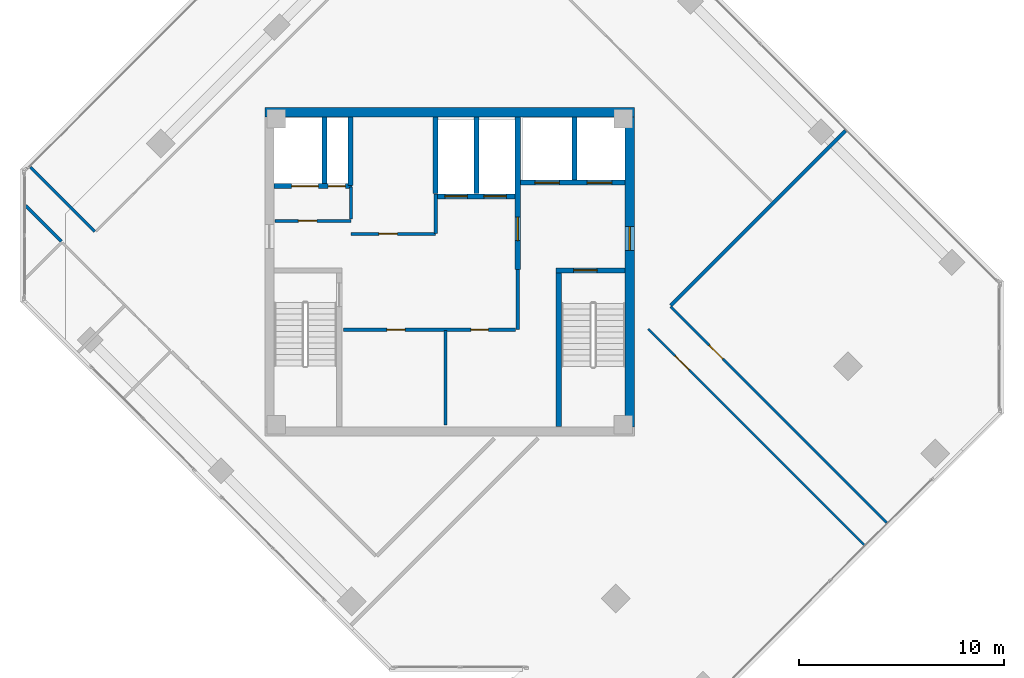
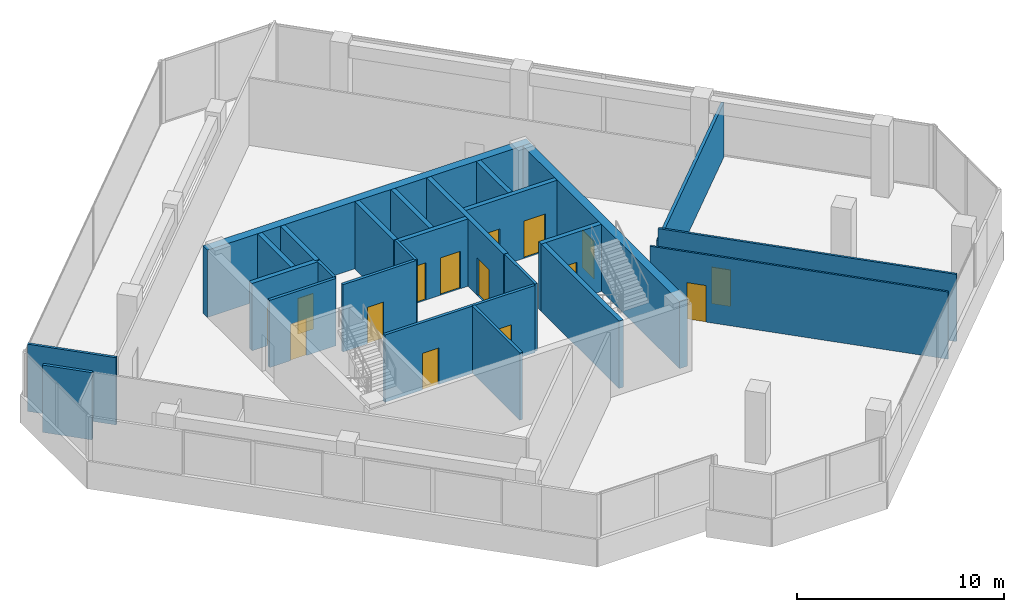
# One storey, part 14 of 18: 25 walls, 15 doors, 15 openings.
"""IFC4 building model written with IfcOpenShell, lengths in metres."""

import ifcopenshell
import ifcopenshell.guid

model = None  # the IFC model being written
_history = None  # IfcOwnerHistory: only IFC2X3 demands one
_inside = {}  # id of a spatial element -> (the spatial element, [elements in it])
_under = {}  # id of a project, library or spatial element -> (it, [spatial elements below it])
_declared = {}  # id of a project -> (the project, [libraries it declares])
_typed = {}  # id of a type object -> (the type object, [elements of that type])
_made_of = {}  # id of a material, layer set ... -> (it, [elements and type objects made of it])


def new_model(schema):
    """Start an empty IFC model of exactly this schema.

    Asked for "IFC4X3", IfcOpenShell would pick the latest addendum, in which some entities
    have other attributes; the version numbers below select the first issue.
    IFC2X3 requires an IfcOwnerHistory on every rooted entity: one is made here for all.
    """
    global model, _history
    if schema == "IFC4X3":
        model = ifcopenshell.file(schema_version=(4, 3, 0, 0))
    else:
        model = ifcopenshell.file(schema=schema)
    _inside.clear()
    _under.clear()
    _declared.clear()
    _typed.clear()
    _made_of.clear()
    _history = None
    if model.schema == "IFC2X3":
        org = make("IfcOrganization", Name="unknown")
        user = make(
            "IfcPersonAndOrganization",
            ThePerson=make("IfcPerson", FamilyName="unknown"),
            TheOrganization=org,
        )
        app = make(
            "IfcApplication",
            ApplicationDeveloper=org,
            Version="unknown",
            ApplicationFullName="unknown",
            ApplicationIdentifier="unknown",
        )
        _history = make(
            "IfcOwnerHistory",
            OwningUser=user,
            OwningApplication=app,
            ChangeAction="ADDED",
            CreationDate=0,
        )
    return model


def make(cls, **values):
    """One entity of the class cls with the attributes given. An attribute that is None is left unset."""
    return model.create_entity(
        cls, **{name: value for name, value in values.items() if value is not None}
    )


def rooted(cls, **values):
    """An entity with a GlobalId (a new one), such as an element, a storey or a relation."""
    return make(cls, GlobalId=ifcopenshell.guid.new(), OwnerHistory=_history, **values)


def si_unit(unit_type, name, prefix=None):
    """IfcSIUnit, for example si_unit("LENGTHUNIT", "METRE", prefix="MILLI")."""
    return make("IfcSIUnit", UnitType=unit_type, Prefix=prefix, Name=name)


def assignment(units):
    """IfcUnitAssignment: the units of a project."""
    return None if units is None else make("IfcUnitAssignment", Units=units)


def point(xyz):
    """IfcCartesianPoint."""
    return None if xyz is None else make("IfcCartesianPoint", Coordinates=xyz)


def direction(xyz):
    """IfcDirection."""
    return None if xyz is None else make("IfcDirection", DirectionRatios=xyz)


def frame(location, z_axis=None, x_axis=None):
    """IfcAxis2Placement3D, a coordinate frame: its origin and axes. An axis left out is left unset."""
    return make(
        "IfcAxis2Placement3D",
        Location=point(location),
        Axis=direction(z_axis),
        RefDirection=direction(x_axis),
    )


def frame_2d(location, x_axis=None):
    """IfcAxis2Placement2D, a coordinate frame in the plane: its origin and x axis."""
    return make(
        "IfcAxis2Placement2D", Location=point(location), RefDirection=direction(x_axis)
    )


def origin():
    """The frame at (0, 0, 0) with its axes left unset."""
    return frame((0.0, 0.0, 0.0))


def place(relative_to, where):
    """IfcLocalPlacement: puts the frame where relative to a parent placement (None: the world)."""
    return make(
        "IfcLocalPlacement", PlacementRelTo=relative_to, RelativePlacement=where
    )


def context(
    kind, dimensions, precision=None, world=None, true_north=None, identifier=None
):
    """IfcGeometricRepresentationContext, for example the 3D "Model" context."""
    return make(
        "IfcGeometricRepresentationContext",
        ContextIdentifier=identifier,
        ContextType=kind,
        CoordinateSpaceDimension=dimensions,
        Precision=precision,
        WorldCoordinateSystem=world,
        TrueNorth=true_north,
    )


def subcontext(parent, identifier, kind, view, scale=None):
    """IfcGeometricRepresentationSubContext, for example "Body" below "Model"."""
    return make(
        "IfcGeometricRepresentationSubContext",
        ContextIdentifier=identifier,
        ContextType=kind,
        ParentContext=parent,
        TargetScale=scale,
        TargetView=view,
    )


def project(units=None, contexts=None):
    """IfcProject with its units and contexts."""
    return rooted(
        "IfcProject",
        Name="project",
        RepresentationContexts=contexts,
        UnitsInContext=assignment(units),
    )


def spatial(cls, under=None, at=None, **own):
    """A site, building, storey or space (cls), placed at a placement, below another one or the project."""
    s = rooted(cls, ObjectPlacement=at, **own)
    if under is not None:
        _under.setdefault(under.id(), (under, []))[1].append(s)
    return s


def profile(cls, at=None, kind="AREA", **sizes):
    """A parametric profile (cls). Its sizes go by their IFC names, for example OverallWidth=200.0."""
    return make(cls, ProfileType=kind, Position=at, **sizes)


def rectangle(**sizes):
    """IfcRectangleProfileDef."""
    return profile("IfcRectangleProfileDef", **sizes)


def extrude(swept, where, along, depth):
    """IfcExtrudedAreaSolid: the profile swept, set in the frame where, extruded along a direction by depth."""
    return make(
        "IfcExtrudedAreaSolid",
        SweptArea=swept,
        Position=where,
        ExtrudedDirection=direction(along),
        Depth=depth,
    )


def shape(context_of_items, identifier, shape_type, items):
    """IfcShapeRepresentation: the items that make up one representation, for example the "Body"."""
    return make(
        "IfcShapeRepresentation",
        ContextOfItems=context_of_items,
        RepresentationIdentifier=identifier,
        RepresentationType=shape_type,
        Items=items,
    )


def source(mapping_origin, context_of_items, identifier, shape_type, items):
    """IfcRepresentationMap: a shape defined once, which mapped items show again and again."""
    return make(
        "IfcRepresentationMap",
        MappingOrigin=mapping_origin,
        MappedRepresentation=shape(context_of_items, identifier, shape_type, items),
    )


def transform(
    local_origin,
    x_axis=None,
    y_axis=None,
    z_axis=None,
    scale=None,
    scale2=None,
    scale3=None,
    uniform=True,
):
    """IfcCartesianTransformationOperator3D, or its non-uniform kind. x_axis, y_axis, z_axis: its Axis1, 2, 3."""
    if uniform:
        return make(
            "IfcCartesianTransformationOperator3D",
            Axis1=direction(x_axis),
            Axis2=direction(y_axis),
            LocalOrigin=point(local_origin),
            Scale=scale,
            Axis3=direction(z_axis),
        )
    return make(
        "IfcCartesianTransformationOperator3DnonUniform",
        Axis1=direction(x_axis),
        Axis2=direction(y_axis),
        LocalOrigin=point(local_origin),
        Scale=scale,
        Axis3=direction(z_axis),
        Scale2=scale2,
        Scale3=scale3,
    )


def mapped(mapping_source, mapping_target):
    """IfcMappedItem: shows the shape of a source again, moved by a transform."""
    return make(
        "IfcMappedItem", MappingSource=mapping_source, MappingTarget=mapping_target
    )


def material(Name=None, Category=None):
    """IfcMaterial."""
    return make("IfcMaterial", Name=Name, Category=Category)


def layer(
    of_material, thickness, ventilated=None, Name=None, Category=None, Priority=None
):
    """IfcMaterialLayer: one layer of a wall or slab, of a material (None: an air gap)."""
    return make(
        "IfcMaterialLayer",
        Material=of_material,
        LayerThickness=thickness,
        IsVentilated=ventilated,
        Name=Name,
        Category=Category,
        Priority=Priority,
    )


def layer_set(layers, Name=None):
    """IfcMaterialLayerSet."""
    return make("IfcMaterialLayerSet", MaterialLayers=layers, LayerSetName=Name)


def made_of(thing, what):
    """Note that an element or type object is made of a material, layer set ...; save() writes the relation."""
    if what is not None:
        _made_of.setdefault(what.id(), (what, []))[1].append(thing)
    return thing


def type_object(cls, material=None, **own):
    """A type object (cls), such as IfcWallType, which elements share."""
    return made_of(rooted(cls, **own), material)


def element(
    cls,
    number,
    at=None,
    inside=None,
    cuts=None,
    type_object=None,
    material=None,
    context=None,
    identifier="Body",
    shape_type=None,
    held_by="IfcProductDefinitionShape",
    body=None,
    shapes=None,
    **own,
):
    """One element of the class cls, such as IfcWall. Its Tag is "e" and its number.

    at: its placement. inside: the storey or other place that contains it. cuts: it is an
    opening in that element (IfcRelVoidsElement). A single representation is given by context,
    identifier, shape_type and body (its items); several are given by shapes. held_by: the class
    of the entity that holds the representations. save() writes the other relations.
    """
    e = rooted(cls, Tag="e%d" % number, ObjectPlacement=at, **own)
    if body is not None:
        shapes = [shape(context, identifier, shape_type, body)]
    if shapes is not None:
        e.Representation = make(held_by, Representations=shapes)
    if inside is not None:
        _inside.setdefault(inside.id(), (inside, []))[1].append(e)
    if cuts is not None:
        rooted(
            "IfcRelVoidsElement", RelatingBuildingElement=cuts, RelatedOpeningElement=e
        )
    if type_object is not None:
        _typed.setdefault(type_object.id(), (type_object, []))[1].append(e)
    return made_of(e, material)


def fill(opening, filler):
    """IfcRelFillsElement: the door or window that sits in an opening."""
    return rooted(
        "IfcRelFillsElement",
        RelatingOpeningElement=opening,
        RelatedBuildingElement=filler,
    )


def aggregate(whole, parts):
    """IfcRelAggregates: a whole, such as a stair, and the parts it consists of."""
    return rooted("IfcRelAggregates", RelatingObject=whole, RelatedObjects=parts)


def save(model, path):
    """Write the relations noted so far, then the file.

    IfcRelAggregates (storeys below a building ...), IfcRelContainedInSpatialStructure (elements
    in a storey), IfcRelDefinesByType, IfcRelAssociatesMaterial and IfcRelDeclares: one each for
    every whole, place, type object, material and project.
    """
    for whole, parts in _under.values():
        aggregate(whole, parts)
    for where, things in _inside.values():
        rooted(
            "IfcRelContainedInSpatialStructure",
            RelatedElements=things,
            RelatingStructure=where,
        )
    for kind, things in _typed.values():
        rooted("IfcRelDefinesByType", RelatedObjects=things, RelatingType=kind)
    for what, things in _made_of.values():
        rooted("IfcRelAssociatesMaterial", RelatedObjects=things, RelatingMaterial=what)
    for by, libraries in _declared.values():
        rooted("IfcRelDeclares", RelatingContext=by, RelatedDefinitions=libraries)
    model.write(path)


model = new_model("IFC4")

# Units and contexts
model_context = context("Model", 3, precision=1e-05, world=origin(), true_north=direction((0.0, 1.0)))
body_context = subcontext(model_context, "Body", "Model", "MODEL_VIEW")
ifc_project = project(units=[si_unit("LENGTHUNIT", "METRE"), si_unit("AREAUNIT", "SQUARE_METRE"), si_unit("VOLUMEUNIT", "CUBIC_METRE"), si_unit("PLANEANGLEUNIT", "RADIAN"), si_unit("MASSUNIT", "GRAM", prefix="KILO")], contexts=[model_context])

# Site, building, storey
site_placement = place(None, origin())
site = spatial("IfcSite", under=ifc_project, at=site_placement, CompositionType="ELEMENT")
building_placement = place(site_placement, origin())
building = spatial("IfcBuilding", under=site, at=building_placement, Name="Torre Montelarca", CompositionType="ELEMENT")
storey_placement = place(building_placement, frame((0.0, 0.0, 245.800048828125)))
storey = spatial("IfcBuildingStorey", under=building, at=storey_placement, Name="L55", CompositionType="ELEMENT", Elevation=245.800048828125)

# Wall
ifc_material_1 = material(Name="Concrete C40/50", Category="concrete")
ifc_layer_1 = layer(ifc_material_1, 0.25, Name="Concrete C40/50", Category="concrete")
ifc_layer_set_1 = layer_set([ifc_layer_1], Name="Concrete C40/50")
wall_type_1 = type_object("IfcWallType", Name="CW-SHAFT-250", PredefinedType="SHEAR", material=ifc_layer_set_1)
wall_1_placement = place(storey_placement, frame((23.31494140625, 24.4599609375, 0.0), z_axis=(0.0, 0.0, 1.0), x_axis=(0.0, 1.0, 0.0)))
element("IfcWall", 1, at=wall_1_placement, inside=storey, type_object=wall_type_1, Name="L55 Core Shear Wall SH-ST2-W", PredefinedType="SHEAR", context=body_context, shape_type="SweptSolid", body=[
    extrude(rectangle(XDim=7.489990234375, YDim=0.25, at=frame_2d((3.7451171875, 0.0))), origin(), (0.0, 0.0, 1.0), 3.9599609375),
])

# Wall, opening, door
wall_2_placement = place(storey_placement, frame((23.18994140625, 32.074951171875, 0.0), z_axis=(0.0, 0.0, 1.0), x_axis=(1.0, 0.0, 0.0)))
wall_2 = element("IfcWall", 2, at=wall_2_placement, inside=storey, type_object=wall_type_1, Name="L55 Core Shear Wall SH-ST2-N", PredefinedType="SHEAR", context=body_context, shape_type="SweptSolid", body=[
    extrude(rectangle(XDim=3.35009765625, YDim=0.25, at=frame_2d((1.675048828125, 0.0))), origin(), (0.0, 0.0, 1.0), 3.9599609375),
])
opening_1_placement = place(wall_2_placement, frame((0.85009765625, 0.0, 0.0)))
opening_1 = element("IfcOpeningElement", 3, at=opening_1_placement, cuts=wall_2, Name="Opening FD-ST1", PredefinedType="OPENING", context=body_context, shape_type="SweptSolid", body=[
    extrude(rectangle(XDim=1.14990234375, YDim=2.199951171875, at=frame_2d((0.574951171875, 1.10009765625))), frame((0.0, 0.135009765625, 0.0), z_axis=(0.0, -1.0, 0.0), x_axis=(1.0, 0.0, 0.0)), (0.0, 0.0, 1.0), 0.27001953125),
])
ifc_material_2 = material(Name="Galvanized steel fire door", Category="steel")
door_type_1 = type_object("IfcDoorType", Name="DR-STAIR-115", OperationType="NOTDEFINED", PredefinedType="DOOR", material=ifc_material_2)
shared_shape_1 = source(origin(), body_context, "Body", "SweptSolid", [
    extrude(rectangle(XDim=1.14990234375, YDim=2.199951171875, at=frame_2d((0.574951171875, 1.10009765625))), frame((0.0, 0.02490234375, 0.0), z_axis=(0.0, -1.0, 0.0), x_axis=(1.0, 0.0, 0.0)), (0.0, 0.0, 1.0), 0.050048828125),
])
door_1_placement = place(opening_1_placement, origin())
door_1 = element("IfcDoor", 4, at=door_1_placement, inside=storey, type_object=door_type_1, Name="L55 Exit Stair ST2 Fire Door", OperationType="SINGLE_SWING_RIGHT", OverallHeight=2.199951171875, OverallWidth=1.14990234375, PredefinedType="DOOR", context=body_context, shape_type="MappedRepresentation", body=[
    mapped(shared_shape_1, transform((0.0, 0.0, 0.0), scale=1.0)),
])
fill(opening_1, door_1)

wall_3_placement = place(storey_placement, frame((21.320068359375, 32.1201171875, 0.0), z_axis=(0.0, 0.0, 1.0), x_axis=(0.0, 1.0, 0.0)))
wall_3 = element("IfcWall", 5, at=wall_3_placement, inside=storey, type_object=wall_type_1, Name="L55 Core Shear Wall SH-FFL-W", PredefinedType="SHEAR", context=body_context, shape_type="SweptSolid", body=[
    extrude(rectangle(XDim=7.419921875, YDim=0.25, at=frame_2d((3.7099609375, 0.0))), origin(), (0.0, 0.0, 1.0), 3.9599609375),
])
opening_2_placement = place(wall_3_placement, frame((1.39990234375, 0.0, 0.0)))
opening_2 = element("IfcOpeningElement", 6, at=opening_2_placement, cuts=wall_3, Name="Opening FD-LB1", PredefinedType="OPENING", context=body_context, shape_type="SweptSolid", body=[
    extrude(rectangle(XDim=1.14990234375, YDim=2.199951171875, at=frame_2d((0.574951171875, 1.10009765625))), frame((0.0, 0.135009765625, 0.0), z_axis=(0.0, -1.0, 0.0), x_axis=(1.0, 0.0, 0.0)), (0.0, 0.0, 1.0), 0.27001953125),
])
ifc_material_3 = material(Name="Acoustic timber-veneered fire door", Category="wood")
door_type_2 = type_object("IfcDoorType", Name="DR-LOBBY-115", OperationType="NOTDEFINED", PredefinedType="DOOR", material=ifc_material_3)
shared_shape_2 = source(origin(), body_context, "Body", "SweptSolid", [
    extrude(rectangle(XDim=1.14990234375, YDim=2.199951171875, at=frame_2d((0.574951171875, 1.10009765625))), frame((0.0, 0.02490234375, 0.0), z_axis=(0.0, -1.0, 0.0), x_axis=(1.0, 0.0, 0.0)), (0.0, 0.0, 1.0), 0.050048828125),
])
door_2_placement = place(opening_2_placement, origin())
door_2 = element("IfcDoor", 7, at=door_2_placement, inside=storey, type_object=door_type_2, Name="L55 Lift Lobby to Firefighting Lobby Smoke Door", OperationType="SINGLE_SWING_LEFT", OverallHeight=2.199951171875, OverallWidth=1.14990234375, PredefinedType="DOOR", context=body_context, shape_type="MappedRepresentation", body=[
    mapped(shared_shape_2, transform((0.0, 0.0, 0.0), scale=1.0)),
])
fill(opening_2, door_2)

# Wall, openings, doors
wall_4_placement = place(storey_placement, frame((9.4599609375, 36.179931640625, 0.0), z_axis=(0.0, 0.0, 1.0), x_axis=(1.0, 0.0, 0.0)))
wall_4 = element("IfcWall", 8, at=wall_4_placement, inside=storey, type_object=wall_type_1, Name="L55 Core Shear Wall SH-SV1-S", PredefinedType="SHEAR", context=body_context, shape_type="SweptSolid", body=[
    extrude(rectangle(XDim=3.7900390625, YDim=0.25, at=frame_2d((1.89501953125, 0.0))), origin(), (0.0, 0.0, 1.0), 3.9599609375),
])
opening_3_placement = place(wall_4_placement, frame((2.6201171875, 0.0, 0.0)))
opening_3 = element("IfcOpeningElement", 9, at=opening_3_placement, cuts=wall_4, Name="Opening FD-085", PredefinedType="OPENING", context=body_context, shape_type="SweptSolid", body=[
    extrude(rectangle(XDim=0.85009765625, YDim=2.10009765625, at=frame_2d((0.425048828125, 1.050048828125))), frame((0.0, 0.135009765625, 0.0), z_axis=(0.0, -1.0, 0.0), x_axis=(1.0, 0.0, 0.0)), (0.0, 0.0, 1.0), 0.27001953125),
])
opening_4_placement = place(wall_4_placement, frame((0.85009765625, 0.0, 0.0)))
opening_4 = element("IfcOpeningElement", 10, at=opening_4_placement, cuts=wall_4, Name="Opening LD-130", PredefinedType="OPENING", context=body_context, shape_type="SweptSolid", body=[
    extrude(rectangle(XDim=1.300048828125, YDim=2.25, at=frame_2d((0.64990234375, 1.125))), frame((0.0, 0.135009765625, 0.0), z_axis=(0.0, -1.0, 0.0), x_axis=(1.0, 0.0, 0.0)), (0.0, 0.0, 1.0), 0.27001953125),
])
ifc_material_4 = material(Name="Steel riser access fire door", Category="steel")
door_type_3 = type_object("IfcDoorType", Name="DR-RISER-085", OperationType="NOTDEFINED", PredefinedType="DOOR", material=ifc_material_4)
shared_shape_3 = source(origin(), body_context, "Body", "SweptSolid", [
    extrude(rectangle(XDim=0.85009765625, YDim=2.10009765625, at=frame_2d((0.425048828125, 1.050048828125))), frame((0.0, 0.02490234375, 0.0), z_axis=(0.0, -1.0, 0.0), x_axis=(1.0, 0.0, 0.0)), (0.0, 0.0, 1.0), 0.050048828125),
])
door_3_placement = place(opening_3_placement, origin())
door_3 = element("IfcDoor", 11, at=door_3_placement, inside=storey, type_object=door_type_3, Name="L55 Electrical Riser Shaft Access Door", OperationType="SINGLE_SWING_RIGHT", OverallHeight=2.10009765625, OverallWidth=0.85009765625, PredefinedType="DOOR", context=body_context, shape_type="MappedRepresentation", body=[
    mapped(shared_shape_3, transform((0.0, 0.0, 0.0), scale=1.0)),
])
fill(opening_3, door_3)
ifc_material_5 = material(Name="Brushed stainless steel AISI 316", Category="steel")
door_type_4 = type_object("IfcDoorType", Name="DR-LIFT-130", OperationType="SLIDING_TO_LEFT", PredefinedType="DOOR", material=ifc_material_5)
shared_shape_4 = source(origin(), body_context, "Body", "SweptSolid", [
    extrude(rectangle(XDim=1.300048828125, YDim=2.25, at=frame_2d((0.64990234375, 1.125))), frame((0.0, 0.02490234375, 0.0), z_axis=(0.0, -1.0, 0.0), x_axis=(1.0, 0.0, 0.0)), (0.0, 0.0, 1.0), 0.050048828125),
])
door_4_placement = place(opening_4_placement, origin())
door_4 = element("IfcDoor", 12, at=door_4_placement, inside=storey, type_object=door_type_4, Name="L55 Lift Landing Sliding Door SV-1", OperationType="SLIDING_TO_LEFT", OverallHeight=2.25, OverallWidth=1.300048828125, PredefinedType="DOOR", context=body_context, shape_type="MappedRepresentation", body=[
    mapped(shared_shape_4, transform((0.0, 0.0, 0.0), scale=1.0)),
])
fill(opening_4, door_4)

# Wall
wall_5_placement = place(storey_placement, frame((11.89990234375, 36.31005859375, 0.0), z_axis=(0.0, 0.0, 1.0), x_axis=(0.0, 1.0, 0.0)))
element("IfcWall", 13, at=wall_5_placement, inside=storey, type_object=wall_type_1, Name="L55 Core Shear Wall SH-SV1-E", PredefinedType="SHEAR", context=body_context, shape_type="SweptSolid", body=[
    extrude(rectangle(XDim=3.22998046875, YDim=0.25, at=frame_2d((1.614990234375, 0.0))), origin(), (0.0, 0.0, 1.0), 3.9599609375),
])

# Wall, openings, doors
wall_6_placement = place(storey_placement, frame((21.449951171875, 36.35009765625, 0.0), z_axis=(0.0, 0.0, 1.0), x_axis=(1.0, 0.0, 0.0)))
wall_6 = element("IfcWall", 14, at=wall_6_placement, inside=storey, type_object=wall_type_1, Name="L55 Core Shear Wall SH-FF-S", PredefinedType="SHEAR", context=body_context, shape_type="SweptSolid", body=[
    extrude(rectangle(XDim=5.090087890625, YDim=0.25, at=frame_2d((2.544921875, 0.0))), origin(), (0.0, 0.0, 1.0), 3.9599609375),
])
opening_5_placement = place(wall_6_placement, frame((0.699951171875, 0.0, 0.0)))
opening_5 = element("IfcOpeningElement", 15, at=opening_5_placement, cuts=wall_6, Name="Opening LD-120", PredefinedType="OPENING", context=body_context, shape_type="SweptSolid", body=[
    extrude(rectangle(XDim=1.199951171875, YDim=2.199951171875, at=frame_2d((0.60009765625, 1.10009765625))), frame((0.0, 0.135009765625, 0.0), z_axis=(0.0, -1.0, 0.0), x_axis=(1.0, 0.0, 0.0)), (0.0, 0.0, 1.0), 0.27001953125),
])
opening_6_placement = place(wall_6_placement, frame((3.25, 0.0, 0.0)))
opening_6 = element("IfcOpeningElement", 16, at=opening_6_placement, cuts=wall_6, Name="Opening LD-120", PredefinedType="OPENING", context=body_context, shape_type="SweptSolid", body=[
    extrude(rectangle(XDim=1.199951171875, YDim=2.199951171875, at=frame_2d((0.60009765625, 1.10009765625))), frame((0.0, 0.135009765625, 0.0), z_axis=(0.0, -1.0, 0.0), x_axis=(1.0, 0.0, 0.0)), (0.0, 0.0, 1.0), 0.27001953125),
])
door_type_5 = type_object("IfcDoorType", Name="DR-LIFT-120", OperationType="SLIDING_TO_RIGHT", PredefinedType="DOOR", material=ifc_material_5)
shared_shape_5 = source(origin(), body_context, "Body", "SweptSolid", [
    extrude(rectangle(XDim=1.199951171875, YDim=2.199951171875, at=frame_2d((0.60009765625, 1.10009765625))), frame((0.0, 0.02490234375, 0.0), z_axis=(0.0, -1.0, 0.0), x_axis=(1.0, 0.0, 0.0)), (0.0, 0.0, 1.0), 0.050048828125),
])
door_5_placement = place(opening_5_placement, origin())
door_5 = element("IfcDoor", 17, at=door_5_placement, inside=storey, type_object=door_type_5, Name="L55 Lift Landing Sliding Door FF-1", OperationType="SLIDING_TO_LEFT", OverallHeight=2.199951171875, OverallWidth=1.199951171875, PredefinedType="DOOR", context=body_context, shape_type="MappedRepresentation", body=[
    mapped(shared_shape_5, transform((0.0, 0.0, 0.0), scale=1.0)),
])
fill(opening_5, door_5)
door_6_placement = place(opening_6_placement, origin())
door_6 = element("IfcDoor", 18, at=door_6_placement, inside=storey, type_object=door_type_5, Name="L55 Lift Landing Sliding Door FF-2", OperationType="SLIDING_TO_RIGHT", OverallHeight=2.199951171875, OverallWidth=1.199951171875, PredefinedType="DOOR", context=body_context, shape_type="MappedRepresentation", body=[
    mapped(shared_shape_5, transform((0.0, 0.0, 0.0), scale=1.0)),
])
fill(opening_6, door_6)

# Walls
wall_7_placement = place(storey_placement, frame((24.080078125, 36.47998046875, 0.0), z_axis=(0.0, 0.0, 1.0), x_axis=(0.0, 1.0, 0.0)))
element("IfcWall", 19, at=wall_7_placement, inside=storey, type_object=wall_type_1, Name="L55 Core Shear Wall SH-FF-M", PredefinedType="SHEAR", context=body_context, shape_type="SweptSolid", body=[
    extrude(rectangle(XDim=3.06005859375, YDim=0.25, at=frame_2d((1.530029296875, 0.0))), origin(), (0.0, 0.0, 1.0), 3.9599609375),
])
wall_8_placement = place(storey_placement, frame((13.179931640625, 36.199951171875, 0.0), z_axis=(0.0, 0.0, 1.0), x_axis=(0.0, 1.0, 0.0)))
element("IfcWall", 20, at=wall_8_placement, inside=storey, type_object=wall_type_1, Name="L55 Core Shear Wall SH-RSR1-E", PredefinedType="SHEAR", context=body_context, shape_type="SweptSolid", body=[
    extrude(rectangle(XDim=3.340087890625, YDim=0.25, at=frame_2d((1.669921875, 0.0))), origin(), (0.0, 0.0, 1.0), 3.9599609375),
])

# Wall, openings, doors
wall_9_placement = place(storey_placement, frame((17.320068359375, 35.679931640625, 0.0), z_axis=(0.0, 0.0, 1.0), x_axis=(1.0, 0.0, 0.0)))
wall_9 = element("IfcWall", 21, at=wall_9_placement, inside=storey, type_object=wall_type_1, Name="L55 Core Shear Wall SH-PLH-S", PredefinedType="SHEAR", context=body_context, shape_type="SweptSolid", body=[
    extrude(rectangle(XDim=3.869873046875, YDim=0.25, at=frame_2d((1.93505859375, 0.0))), origin(), (0.0, 0.0, 1.0), 3.9599609375),
])
opening_7_placement = place(wall_9_placement, frame((0.449951171875, 0.0, 0.0)))
opening_7 = element("IfcOpeningElement", 22, at=opening_7_placement, cuts=wall_9, Name="Opening LD-110", PredefinedType="OPENING", context=body_context, shape_type="SweptSolid", body=[
    extrude(rectangle(XDim=1.10009765625, YDim=2.199951171875, at=frame_2d((0.550048828125, 1.10009765625))), frame((0.0, 0.135009765625, 0.0), z_axis=(0.0, -1.0, 0.0), x_axis=(1.0, 0.0, 0.0)), (0.0, 0.0, 1.0), 0.27001953125),
])
opening_8_placement = place(wall_9_placement, frame((2.35009765625, 0.0, 0.0)))
opening_8 = element("IfcOpeningElement", 23, at=opening_8_placement, cuts=wall_9, Name="Opening LD-110", PredefinedType="OPENING", context=body_context, shape_type="SweptSolid", body=[
    extrude(rectangle(XDim=1.10009765625, YDim=2.199951171875, at=frame_2d((0.550048828125, 1.10009765625))), frame((0.0, 0.135009765625, 0.0), z_axis=(0.0, -1.0, 0.0), x_axis=(1.0, 0.0, 0.0)), (0.0, 0.0, 1.0), 0.27001953125),
])
door_type_6 = type_object("IfcDoorType", Name="DR-LIFT-110", OperationType="SLIDING_TO_LEFT", PredefinedType="DOOR", material=ifc_material_5)
shared_shape_6 = source(origin(), body_context, "Body", "SweptSolid", [
    extrude(rectangle(XDim=1.10009765625, YDim=2.199951171875, at=frame_2d((0.550048828125, 1.10009765625))), frame((0.0, 0.02490234375, 0.0), z_axis=(0.0, -1.0, 0.0), x_axis=(1.0, 0.0, 0.0)), (0.0, 0.0, 1.0), 0.050048828125),
])
door_7_placement = place(opening_7_placement, origin())
door_7 = element("IfcDoor", 24, at=door_7_placement, inside=storey, type_object=door_type_6, Name="L55 Lift Landing Sliding Door PL-H1", OperationType="SLIDING_TO_LEFT", OverallHeight=2.199951171875, OverallWidth=1.10009765625, PredefinedType="DOOR", context=body_context, shape_type="MappedRepresentation", body=[
    mapped(shared_shape_6, transform((0.0, 0.0, 0.0), scale=1.0)),
])
fill(opening_7, door_7)
door_8_placement = place(opening_8_placement, origin())
door_8 = element("IfcDoor", 25, at=door_8_placement, inside=storey, type_object=door_type_6, Name="L55 Lift Landing Sliding Door PL-H2", OperationType="SLIDING_TO_RIGHT", OverallHeight=2.199951171875, OverallWidth=1.10009765625, PredefinedType="DOOR", context=body_context, shape_type="MappedRepresentation", body=[
    mapped(shared_shape_6, transform((0.0, 0.0, 0.0), scale=1.0)),
])
fill(opening_8, door_8)

# Walls
for number, where, z_axis, x_axis, name in (
    (26, (17.320068359375, 35.81005859375, 0.0), (0.0, 0.0, 1.0), (0.0, 1.0, 0.0), "L55 Core Shear Wall SH-PLH-W"),
    (27, (19.320068359375, 35.81005859375, 0.0), (0.0, 0.0, 1.0), (0.0, 1.0, 0.0), "L55 Core Shear Wall SH-PLH-M"),
):
    element("IfcWall", number, at=place(storey_placement, frame(where, z_axis=z_axis, x_axis=x_axis)), inside=storey, type_object=wall_type_1, Name=name, PredefinedType="SHEAR", context=body_context, shape_type="SweptSolid", body=[
        extrude(rectangle(XDim=3.72998046875, YDim=0.25, at=frame_2d((1.864990234375, 0.0))), origin(), (0.0, 0.0, 1.0), 3.9599609375),
    ])

# Wall, opening, door
ifc_material_6 = material(Name="Concrete C55/67", Category="concrete")
ifc_layer_2 = layer(ifc_material_6, 0.449951171875, Name="Concrete C55/67", Category="concrete")
ifc_layer_set_2 = layer_set([ifc_layer_2], Name="Concrete C55/67")
wall_type_2 = type_object("IfcWallType", Name="CW-SHEAR-450", PredefinedType="SHEAR", material=ifc_layer_set_2)
wall_10_placement = place(storey_placement, frame((26.77490234375, 24.449951171875, 0.0), z_axis=(0.0, 0.0, 1.0), x_axis=(0.0, 1.0, 0.0)))
wall_10 = element("IfcWall", 28, at=wall_10_placement, inside=storey, type_object=wall_type_2, Name="L55 Core Shear Wall CW-E", PredefinedType="SHEAR", context=body_context, shape_type="SweptSolid", body=[
    extrude(rectangle(XDim=15.10009765625, YDim=0.449951171875, at=frame_2d((7.550048828125, 0.0))), origin(), (0.0, 0.0, 1.0), 3.9599609375),
])
opening_9_placement = place(wall_10_placement, frame((8.60009765625, 0.0, 0.0)))
opening_9 = element("IfcOpeningElement", 29, at=opening_9_placement, cuts=wall_10, Name="Opening FD-LB1", PredefinedType="OPENING", context=body_context, shape_type="SweptSolid", body=[
    extrude(rectangle(XDim=1.14990234375, YDim=2.199951171875, at=frame_2d((0.574951171875, 1.10009765625))), frame((0.0, 0.23486328125, 0.0), z_axis=(0.0, -1.0, 0.0), x_axis=(1.0, 0.0, 0.0)), (0.0, 0.0, 1.0), 0.469970703125),
])
door_9_placement = place(opening_9_placement, origin())
door_9 = element("IfcDoor", 30, at=door_9_placement, inside=storey, type_object=door_type_2, Name="L55 Firefighting Lift Lobby Corridor Fire Door", OperationType="SINGLE_SWING_RIGHT", OverallHeight=2.199951171875, OverallWidth=1.14990234375, PredefinedType="DOOR", context=body_context, shape_type="MappedRepresentation", body=[
    mapped(shared_shape_2, transform((0.0, 0.0, 0.0), scale=1.0)),
])
fill(opening_9, door_9)

# Wall
wall_11_placement = place(storey_placement, frame((9.0, 39.77490234375, 0.0), z_axis=(0.0, 0.0, 1.0), x_axis=(1.0, 0.0, 0.0)))
element("IfcWall", 31, at=wall_11_placement, inside=storey, type_object=wall_type_2, Name="L55 Core Shear Wall CW-N1", PredefinedType="SHEAR", context=body_context, shape_type="SweptSolid", body=[
    extrude(rectangle(XDim=18.0, YDim=0.449951171875, at=frame_2d((9.0, 0.0))), origin(), (0.0, 0.0, 1.0), 3.9599609375),
])

# Wall, opening, door
ifc_material_7 = material(Name="Gypsum plasterboard on steel stud", Category="steel")
ifc_layer_3 = layer(ifc_material_7, 0.159912109375, Name="Gypsum plasterboard on steel stud", Category="steel")
ifc_layer_set_3 = layer_set([ifc_layer_3], Name="Gypsum plasterboard on steel stud")
wall_type_3 = type_object("IfcWallType", Name="PW-FIRE-160", PredefinedType="PARTITIONING", material=ifc_layer_set_3)
wall_12_placement = place(storey_placement, frame((9.489990234375, 34.47998046875, 0.0), z_axis=(0.0, 0.0, 1.0), x_axis=(1.0, 0.0, 0.0)))
wall_12 = element("IfcWall", 32, at=wall_12_placement, inside=storey, type_object=wall_type_3, Name="L55 Interior Partition CW-L55-SVS", PredefinedType="PARTITIONING", context=body_context, shape_type="SweptSolid", body=[
    extrude(rectangle(XDim=3.699951171875, YDim=0.159912109375, at=frame_2d((1.85009765625, 0.0))), origin(), (0.0, 0.0, 1.0), 3.9599609375),
])
opening_10_placement = place(wall_12_placement, frame((1.14990234375, 0.0, 0.0)))
opening_10 = element("IfcOpeningElement", 33, at=opening_10_placement, cuts=wall_12, Name="Opening FD-090", PredefinedType="OPENING", context=body_context, shape_type="SweptSolid", body=[
    extrude(rectangle(XDim=0.89990234375, YDim=2.14990234375, at=frame_2d((0.449951171875, 1.074951171875))), frame((0.0, 0.08984375, 0.0), z_axis=(0.0, -1.0, 0.0), x_axis=(1.0, 0.0, 0.0)), (0.0, 0.0, 1.0), 0.179931640625),
])
ifc_material_8 = material(Name="Steel service fire door", Category="steel")
door_type_7 = type_object("IfcDoorType", Name="DR-FIRE-090", OperationType="NOTDEFINED", PredefinedType="DOOR", material=ifc_material_8)
shared_shape_7 = source(origin(), body_context, "Body", "SweptSolid", [
    extrude(rectangle(XDim=0.89990234375, YDim=2.14990234375, at=frame_2d((0.449951171875, 1.074951171875))), frame((0.0, 0.02490234375, 0.0), z_axis=(0.0, -1.0, 0.0), x_axis=(1.0, 0.0, 0.0)), (0.0, 0.0, 1.0), 0.050048828125),
])
door_10_placement = place(opening_10_placement, origin())
door_10 = element("IfcDoor", 34, at=door_10_placement, inside=storey, type_object=door_type_7, Name="L55 Interior Door 01", OperationType="SINGLE_SWING_RIGHT", OverallHeight=2.14990234375, OverallWidth=0.89990234375, PredefinedType="DOOR", context=body_context, shape_type="MappedRepresentation", body=[
    mapped(shared_shape_7, transform((0.0, 0.0, 0.0), scale=1.0)),
])
fill(opening_10, door_10)

# Wall
wall_13_placement = place(storey_placement, frame((13.199951171875, 34.570068359375, 0.0), z_axis=(0.0, 0.0, 1.0), x_axis=(0.0, 1.0, 0.0)))
element("IfcWall", 35, at=wall_13_placement, inside=storey, type_object=wall_type_3, Name="L55 Interior Partition CW-L55-SVE", PredefinedType="PARTITIONING", context=body_context, shape_type="SweptSolid", body=[
    extrude(rectangle(XDim=1.56982421875, YDim=0.159912109375, at=frame_2d((0.784912109375, 0.0))), origin(), (0.0, 0.0, 1.0), 3.9599609375),
])

# Wall, opening, door
wall_14_placement = place(storey_placement, frame((13.2099609375, 33.85009765625, 0.0), z_axis=(0.0, 0.0, 1.0), x_axis=(1.0, 0.0, 0.0)))
wall_14 = element("IfcWall", 36, at=wall_14_placement, inside=storey, type_object=wall_type_3, Name="L55 Interior Partition CW-L55-FRMS", PredefinedType="PARTITIONING", context=body_context, shape_type="SweptSolid", body=[
    extrude(rectangle(XDim=4.10009765625, YDim=0.159912109375, at=frame_2d((2.050048828125, 0.0))), origin(), (0.0, 0.0, 1.0), 3.9599609375),
])
opening_11_placement = place(wall_14_placement, frame((1.35009765625, 0.0, 0.0)))
opening_11 = element("IfcOpeningElement", 37, at=opening_11_placement, cuts=wall_14, Name="Opening FD-090", PredefinedType="OPENING", context=body_context, shape_type="SweptSolid", body=[
    extrude(rectangle(XDim=0.89990234375, YDim=2.14990234375, at=frame_2d((0.449951171875, 1.074951171875))), frame((0.0, 0.08984375, 0.0), z_axis=(0.0, -1.0, 0.0), x_axis=(1.0, 0.0, 0.0)), (0.0, 0.0, 1.0), 0.179931640625),
])
door_11_placement = place(opening_11_placement, origin())
door_11 = element("IfcDoor", 38, at=door_11_placement, inside=storey, type_object=door_type_7, Name="L55 Interior Door 02", OperationType="SINGLE_SWING_LEFT", OverallHeight=2.14990234375, OverallWidth=0.89990234375, PredefinedType="DOOR", context=body_context, shape_type="MappedRepresentation", body=[
    mapped(shared_shape_7, transform((0.0, 0.0, 0.0), scale=1.0)),
])
fill(opening_11, door_11)

# Wall
wall_15_placement = place(storey_placement, frame((17.320068359375, 33.860107421875, 0.0), z_axis=(0.0, 0.0, 1.0), x_axis=(0.0, 1.0, 0.0)))
element("IfcWall", 39, at=wall_15_placement, inside=storey, type_object=wall_type_3, Name="L55 Interior Partition CW-L55-FRME", PredefinedType="PARTITIONING", context=body_context, shape_type="SweptSolid", body=[
    extrude(rectangle(XDim=1.929931640625, YDim=0.159912109375, at=frame_2d((0.96484375, 0.0))), origin(), (0.0, 0.0, 1.0), 3.9599609375),
])

# Wall, openings, doors
wall_16_placement = place(storey_placement, frame((12.840087890625, 29.179931640625, 0.0), z_axis=(0.0, 0.0, 1.0), x_axis=(1.0, 0.0, 0.0)))
wall_16 = element("IfcWall", 40, at=wall_16_placement, inside=storey, type_object=wall_type_3, Name="L55 Interior Partition CW-L55-FRDN", PredefinedType="PARTITIONING", context=body_context, shape_type="SweptSolid", body=[
    extrude(rectangle(XDim=8.369873046875, YDim=0.159912109375, at=frame_2d((4.18505859375, 0.0))), origin(), (0.0, 0.0, 1.0), 3.9599609375),
])
opening_12_placement = place(wall_16_placement, frame((2.10009765625, 0.0, 0.0)))
opening_12 = element("IfcOpeningElement", 41, at=opening_12_placement, cuts=wall_16, Name="Opening FD-090", PredefinedType="OPENING", context=body_context, shape_type="SweptSolid", body=[
    extrude(rectangle(XDim=0.89990234375, YDim=2.14990234375, at=frame_2d((0.449951171875, 1.074951171875))), frame((0.0, 0.08984375, 0.0), z_axis=(0.0, -1.0, 0.0), x_axis=(1.0, 0.0, 0.0)), (0.0, 0.0, 1.0), 0.179931640625),
])
opening_13_placement = place(wall_16_placement, frame((6.199951171875, 0.0, 0.0)))
opening_13 = element("IfcOpeningElement", 42, at=opening_13_placement, cuts=wall_16, Name="Opening FD-085", PredefinedType="OPENING", context=body_context, shape_type="SweptSolid", body=[
    extrude(rectangle(XDim=0.85009765625, YDim=2.10009765625, at=frame_2d((0.425048828125, 1.050048828125))), frame((0.0, 0.08984375, 0.0), z_axis=(0.0, -1.0, 0.0), x_axis=(1.0, 0.0, 0.0)), (0.0, 0.0, 1.0), 0.179931640625),
])
door_12_placement = place(opening_13_placement, origin())
door_12 = element("IfcDoor", 43, at=door_12_placement, inside=storey, type_object=door_type_3, Name="L55 Interior Door 04", OperationType="SINGLE_SWING_LEFT", OverallHeight=2.10009765625, OverallWidth=0.85009765625, PredefinedType="DOOR", context=body_context, shape_type="MappedRepresentation", body=[
    mapped(shared_shape_3, transform((0.0, 0.0, 0.0), scale=1.0)),
])
fill(opening_13, door_12)
door_13_placement = place(opening_12_placement, origin())
door_13 = element("IfcDoor", 44, at=door_13_placement, inside=storey, type_object=door_type_7, Name="L55 Interior Door 03", OperationType="SINGLE_SWING_RIGHT", OverallHeight=2.14990234375, OverallWidth=0.89990234375, PredefinedType="DOOR", context=body_context, shape_type="MappedRepresentation", body=[
    mapped(shared_shape_7, transform((0.0, 0.0, 0.0), scale=1.0)),
])
fill(opening_12, door_13)

# Walls
wall_17_placement = place(storey_placement, frame((17.800048828125, 24.5400390625, 0.0), z_axis=(0.0, 0.0, 1.0), x_axis=(0.0, 1.0, 0.0)))
element("IfcWall", 45, at=wall_17_placement, inside=storey, type_object=wall_type_3, Name="L55 Interior Partition CW-L55-FRD1", PredefinedType="PARTITIONING", context=body_context, shape_type="SweptSolid", body=[
    extrude(rectangle(XDim=4.599853515625, YDim=0.159912109375, at=frame_2d((2.2998046875, 0.0))), origin(), (0.0, 0.0, 1.0), 3.9599609375),
])
wall_18_placement = place(storey_placement, frame((21.320068359375, 29.18994140625, 0.0), z_axis=(0.0, 0.0, 1.0), x_axis=(0.0, 1.0, 0.0)))
element("IfcWall", 46, at=wall_18_placement, inside=storey, type_object=wall_type_3, Name="L55 Interior Partition CW-L55-FRE", PredefinedType="PARTITIONING", context=body_context, shape_type="SweptSolid", body=[
    extrude(rectangle(XDim=2.920166015625, YDim=0.159912109375, at=frame_2d((1.4599609375, 0.0))), origin(), (0.0, 0.0, 1.0), 3.9599609375),
])
wall_19_placement = place(storey_placement, frame((-2.65625, 35.225830078125, 0.0), z_axis=(0.0, 0.0, 1.0), x_axis=(0.707106781187, -0.707106781187, 0.0)))
element("IfcWall", 47, at=wall_19_placement, inside=storey, type_object=wall_type_3, Name="L55 Interior Partition W-L55-SOCCW", PredefinedType="PARTITIONING", context=body_context, shape_type="SweptSolid", body=[
    extrude(rectangle(XDim=2.47216796875, YDim=0.159912109375, at=frame_2d((1.236083984375, 0.0))), origin(), (0.0, 0.0, 1.0), 3.9599609375),
])
wall_20_placement = place(storey_placement, frame((28.76904296875, 30.359619140625, 0.0), z_axis=(0.0, 0.0, 1.0), x_axis=(0.707116919863, 0.707096642365, 0.0)))
element("IfcWall", 48, at=wall_20_placement, inside=storey, type_object=wall_type_3, Name="L55 Interior Partition W-L55-ECN", PredefinedType="PARTITIONING", context=body_context, shape_type="SweptSolid", body=[
    extrude(rectangle(XDim=12.0400390625, YDim=0.159912109375, at=frame_2d((6.02001953125, 0.0))), origin(), (0.0, 0.0, 1.0), 3.195068359375),
])

# Wall, opening, door
ifc_material_9 = material(Name="Acoustic laminated glass partition", Category="glass")
ifc_layer_4 = layer(ifc_material_9, 0.10009765625, Name="Acoustic laminated glass partition", Category="glass")
ifc_layer_set_4 = layer_set([ifc_layer_4], Name="Acoustic laminated glass partition")
wall_type_4 = type_object("IfcWallType", Name="PW-GLAZ-100", PredefinedType="PARTITIONING", material=ifc_layer_set_4)
wall_21_placement = place(storey_placement, frame((27.68017578125, 29.214111328125, 0.0), z_axis=(0.0, 0.0, 1.0), x_axis=(0.707106781187, -0.707106781187, 0.0)))
wall_21 = element("IfcWall", 49, at=wall_21_placement, inside=storey, type_object=wall_type_4, Name="L55 Interior Partition W-L55-SE-N", PredefinedType="PARTITIONING", context=body_context, shape_type="SweptSolid", body=[
    extrude(rectangle(XDim=14.8798828125, YDim=0.10009765625, at=frame_2d((7.43994140625, 0.0))), origin(), (0.0, 0.0, 1.0), 3.9599609375),
])
opening_14_placement = place(wall_21_placement, frame((1.85009765625, 0.0, 0.0)))
opening_14 = element("IfcOpeningElement", 50, at=opening_14_placement, cuts=wall_21, Name="Opening ID-095", PredefinedType="OPENING", context=body_context, shape_type="SweptSolid", body=[
    extrude(rectangle(XDim=0.949951171875, YDim=2.14990234375, at=frame_2d((0.47509765625, 1.074951171875))), frame((0.0, 0.06005859375, 0.0), z_axis=(0.0, -1.0, 0.0), x_axis=(1.0, 0.0, 0.0)), (0.0, 0.0, 1.0), 0.1201171875),
])
ifc_material_10 = material(Name="Hardwood acoustic timber veneer", Category="wood")
door_type_8 = type_object("IfcDoorType", Name="DR-INT-095", OperationType="NOTDEFINED", PredefinedType="DOOR", material=ifc_material_10)
shared_shape_8 = source(origin(), body_context, "Body", "SweptSolid", [
    extrude(rectangle(XDim=0.949951171875, YDim=2.14990234375, at=frame_2d((0.47509765625, 1.074951171875))), frame((0.0, 0.02490234375, 0.0), z_axis=(0.0, -1.0, 0.0), x_axis=(1.0, 0.0, 0.0)), (0.0, 0.0, 1.0), 0.050048828125),
])
door_14_placement = place(opening_14_placement, origin())
door_14 = element("IfcDoor", 51, at=door_14_placement, inside=storey, type_object=door_type_8, Name="L55 Interior Door 11", OperationType="SINGLE_SWING_LEFT", OverallHeight=2.14990234375, OverallWidth=0.949951171875, PredefinedType="DOOR", context=body_context, shape_type="MappedRepresentation", body=[
    mapped(shared_shape_8, transform((0.0, 0.0, 0.0), scale=1.0)),
])
fill(opening_14, door_14)

ifc_layer_5 = layer(ifc_material_7, 0.114990234375, Name="Gypsum plasterboard on steel stud", Category="steel")
ifc_layer_set_5 = layer_set([ifc_layer_5], Name="Gypsum plasterboard on steel stud")
wall_type_5 = type_object("IfcWallType", Name="PW-PART-115", PredefinedType="PARTITIONING", material=ifc_layer_set_5)
wall_22_placement = place(storey_placement, frame((28.76904296875, 30.302978515625, 0.0), z_axis=(0.0, 0.0, 1.0), x_axis=(0.707106781187, -0.707106781187, 0.0)))
wall_22 = element("IfcWall", 52, at=wall_22_placement, inside=storey, type_object=wall_type_5, Name="L55 Interior Partition W-L55-NE-S", PredefinedType="PARTITIONING", context=body_context, shape_type="SweptSolid", body=[
    extrude(rectangle(XDim=14.8798828125, YDim=0.114990234375, at=frame_2d((7.43994140625, 0.0))), origin(), (0.0, 0.0, 1.0), 3.9599609375),
])
opening_15_placement = place(wall_22_placement, frame((2.64990234375, 0.0, 0.0)))
opening_15 = element("IfcOpeningElement", 53, at=opening_15_placement, cuts=wall_22, Name="Opening ID-095", PredefinedType="OPENING", context=body_context, shape_type="SweptSolid", body=[
    extrude(rectangle(XDim=0.949951171875, YDim=2.14990234375, at=frame_2d((0.47509765625, 1.074951171875))), frame((0.0, 0.0673828125, 0.0), z_axis=(0.0, -1.0, 0.0), x_axis=(1.0, 0.0, 0.0)), (0.0, 0.0, 1.0), 0.135009765625),
])
door_15_placement = place(opening_15_placement, origin())
door_15 = element("IfcDoor", 54, at=door_15_placement, inside=storey, type_object=door_type_8, Name="L55 Interior Door 10", OperationType="SINGLE_SWING_LEFT", OverallHeight=2.14990234375, OverallWidth=0.949951171875, PredefinedType="DOOR", context=body_context, shape_type="MappedRepresentation", body=[
    mapped(shared_shape_8, transform((0.0, 0.0, 0.0), scale=1.0)),
])
fill(opening_15, door_15)

# Wall
ifc_layer_6 = layer(ifc_material_7, 0.135009765625, Name="Gypsum plasterboard on steel stud", Category="steel")
ifc_layer_set_6 = layer_set([ifc_layer_6], Name="Gypsum plasterboard on steel stud")
wall_type_6 = type_object("IfcWallType", Name="PW-PART-135", PredefinedType="PARTITIONING", material=ifc_layer_set_6)
wall_23_placement = place(storey_placement, frame((-2.414306640625, 37.105224609375, 0.0), z_axis=(0.0, 0.0, 1.0), x_axis=(0.707106781187, -0.707106781187, 0.0)))
element("IfcWall", 55, at=wall_23_placement, inside=storey, type_object=wall_type_6, Name="L55 Interior Partition W-L55-WWGS", PredefinedType="PARTITIONING", context=body_context, shape_type="SweptSolid", body=[
    extrude(rectangle(XDim=4.4296875, YDim=0.135009765625, at=frame_2d((2.21484375, 0.0))), origin(), (0.0, 0.0, 1.0), 3.9599609375),
])

save(model, "model.ifc")
